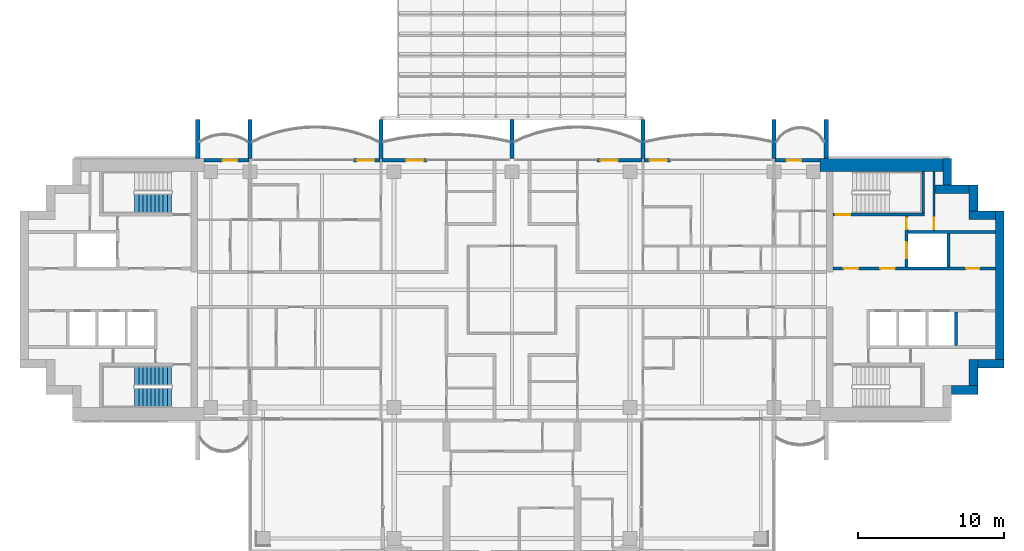
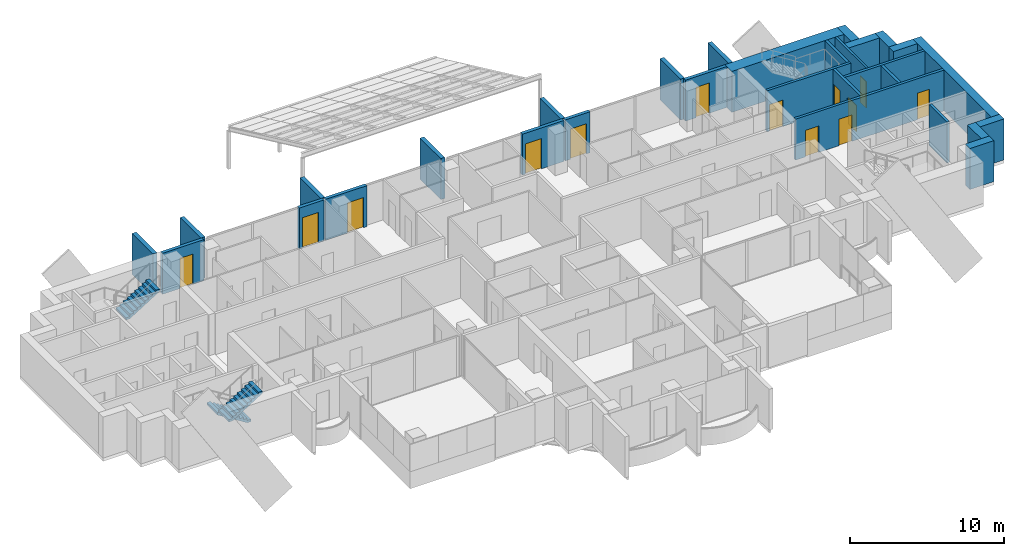
# One storey, part 15 of 20: 30 walls, 13 doors, 3 stair flights, 13 openings, 2 elements without a shape of their own.
"""IFC4 building model written with IfcOpenShell, lengths in metres."""

import ifcopenshell
import ifcopenshell.guid

model = None  # the IFC model being written
_history = None  # IfcOwnerHistory: only IFC2X3 demands one
_inside = {}  # id of a spatial element -> (the spatial element, [elements in it])
_under = {}  # id of a project, library or spatial element -> (it, [spatial elements below it])
_declared = {}  # id of a project -> (the project, [libraries it declares])
_typed = {}  # id of a type object -> (the type object, [elements of that type])
_made_of = {}  # id of a material, layer set ... -> (it, [elements and type objects made of it])


def new_model(schema):
    """Start an empty IFC model of exactly this schema.

    Asked for "IFC4X3", IfcOpenShell would pick the latest addendum, in which some entities
    have other attributes; the version numbers below select the first issue.
    IFC2X3 requires an IfcOwnerHistory on every rooted entity: one is made here for all.
    """
    global model, _history
    if schema == "IFC4X3":
        model = ifcopenshell.file(schema_version=(4, 3, 0, 0))
    else:
        model = ifcopenshell.file(schema=schema)
    _inside.clear()
    _under.clear()
    _declared.clear()
    _typed.clear()
    _made_of.clear()
    _history = None
    if model.schema == "IFC2X3":
        org = make("IfcOrganization", Name="unknown")
        user = make(
            "IfcPersonAndOrganization",
            ThePerson=make("IfcPerson", FamilyName="unknown"),
            TheOrganization=org,
        )
        app = make(
            "IfcApplication",
            ApplicationDeveloper=org,
            Version="unknown",
            ApplicationFullName="unknown",
            ApplicationIdentifier="unknown",
        )
        _history = make(
            "IfcOwnerHistory",
            OwningUser=user,
            OwningApplication=app,
            ChangeAction="ADDED",
            CreationDate=0,
        )
    return model


def make(cls, **values):
    """One entity of the class cls with the attributes given. An attribute that is None is left unset."""
    return model.create_entity(
        cls, **{name: value for name, value in values.items() if value is not None}
    )


def rooted(cls, **values):
    """An entity with a GlobalId (a new one), such as an element, a storey or a relation."""
    return make(cls, GlobalId=ifcopenshell.guid.new(), OwnerHistory=_history, **values)


def si_unit(unit_type, name, prefix=None):
    """IfcSIUnit, for example si_unit("LENGTHUNIT", "METRE", prefix="MILLI")."""
    return make("IfcSIUnit", UnitType=unit_type, Prefix=prefix, Name=name)


def assignment(units):
    """IfcUnitAssignment: the units of a project."""
    return None if units is None else make("IfcUnitAssignment", Units=units)


def point(xyz):
    """IfcCartesianPoint."""
    return None if xyz is None else make("IfcCartesianPoint", Coordinates=xyz)


def direction(xyz):
    """IfcDirection."""
    return None if xyz is None else make("IfcDirection", DirectionRatios=xyz)


def frame(location, z_axis=None, x_axis=None):
    """IfcAxis2Placement3D, a coordinate frame: its origin and axes. An axis left out is left unset."""
    return make(
        "IfcAxis2Placement3D",
        Location=point(location),
        Axis=direction(z_axis),
        RefDirection=direction(x_axis),
    )


def frame_2d(location, x_axis=None):
    """IfcAxis2Placement2D, a coordinate frame in the plane: its origin and x axis."""
    return make(
        "IfcAxis2Placement2D", Location=point(location), RefDirection=direction(x_axis)
    )


def origin():
    """The frame at (0, 0, 0) with its axes left unset."""
    return frame((0.0, 0.0, 0.0))


def place(relative_to, where):
    """IfcLocalPlacement: puts the frame where relative to a parent placement (None: the world)."""
    return make(
        "IfcLocalPlacement", PlacementRelTo=relative_to, RelativePlacement=where
    )


def context(
    kind, dimensions, precision=None, world=None, true_north=None, identifier=None
):
    """IfcGeometricRepresentationContext, for example the 3D "Model" context."""
    return make(
        "IfcGeometricRepresentationContext",
        ContextIdentifier=identifier,
        ContextType=kind,
        CoordinateSpaceDimension=dimensions,
        Precision=precision,
        WorldCoordinateSystem=world,
        TrueNorth=true_north,
    )


def subcontext(parent, identifier, kind, view, scale=None):
    """IfcGeometricRepresentationSubContext, for example "Body" below "Model"."""
    return make(
        "IfcGeometricRepresentationSubContext",
        ContextIdentifier=identifier,
        ContextType=kind,
        ParentContext=parent,
        TargetScale=scale,
        TargetView=view,
    )


def project(units=None, contexts=None):
    """IfcProject with its units and contexts."""
    return rooted(
        "IfcProject",
        Name="project",
        RepresentationContexts=contexts,
        UnitsInContext=assignment(units),
    )


def spatial(cls, under=None, at=None, **own):
    """A site, building, storey or space (cls), placed at a placement, below another one or the project."""
    s = rooted(cls, ObjectPlacement=at, **own)
    if under is not None:
        _under.setdefault(under.id(), (under, []))[1].append(s)
    return s


def polyline(points):
    """IfcPolyline through the points."""
    return make("IfcPolyline", Points=[point(p) for p in points])


def profile(cls, at=None, kind="AREA", **sizes):
    """A parametric profile (cls). Its sizes go by their IFC names, for example OverallWidth=200.0."""
    return make(cls, ProfileType=kind, Position=at, **sizes)


def rectangle(**sizes):
    """IfcRectangleProfileDef."""
    return profile("IfcRectangleProfileDef", **sizes)


def outline(outer, holes=None, kind="AREA"):
    """IfcArbitraryClosedProfileDef: a profile drawn as a closed curve; with holes, ...WithVoids."""
    if holes is None:
        return make("IfcArbitraryClosedProfileDef", ProfileType=kind, OuterCurve=outer)
    return make(
        "IfcArbitraryProfileDefWithVoids",
        ProfileType=kind,
        OuterCurve=outer,
        InnerCurves=holes,
    )


def extrude(swept, where, along, depth):
    """IfcExtrudedAreaSolid: the profile swept, set in the frame where, extruded along a direction by depth."""
    return make(
        "IfcExtrudedAreaSolid",
        SweptArea=swept,
        Position=where,
        ExtrudedDirection=direction(along),
        Depth=depth,
    )


def shape(context_of_items, identifier, shape_type, items):
    """IfcShapeRepresentation: the items that make up one representation, for example the "Body"."""
    return make(
        "IfcShapeRepresentation",
        ContextOfItems=context_of_items,
        RepresentationIdentifier=identifier,
        RepresentationType=shape_type,
        Items=items,
    )


def material(Name=None, Category=None):
    """IfcMaterial."""
    return make("IfcMaterial", Name=Name, Category=Category)


def layer(
    of_material, thickness, ventilated=None, Name=None, Category=None, Priority=None
):
    """IfcMaterialLayer: one layer of a wall or slab, of a material (None: an air gap)."""
    return make(
        "IfcMaterialLayer",
        Material=of_material,
        LayerThickness=thickness,
        IsVentilated=ventilated,
        Name=Name,
        Category=Category,
        Priority=Priority,
    )


def layer_set(layers, Name=None):
    """IfcMaterialLayerSet."""
    return make("IfcMaterialLayerSet", MaterialLayers=layers, LayerSetName=Name)


def made_of(thing, what):
    """Note that an element or type object is made of a material, layer set ...; save() writes the relation."""
    if what is not None:
        _made_of.setdefault(what.id(), (what, []))[1].append(thing)
    return thing


def type_object(cls, material=None, **own):
    """A type object (cls), such as IfcWallType, which elements share."""
    return made_of(rooted(cls, **own), material)


def element(
    cls,
    number,
    at=None,
    inside=None,
    cuts=None,
    type_object=None,
    material=None,
    context=None,
    identifier="Body",
    shape_type=None,
    held_by="IfcProductDefinitionShape",
    body=None,
    shapes=None,
    **own,
):
    """One element of the class cls, such as IfcWall. Its Tag is "e" and its number.

    at: its placement. inside: the storey or other place that contains it. cuts: it is an
    opening in that element (IfcRelVoidsElement). A single representation is given by context,
    identifier, shape_type and body (its items); several are given by shapes. held_by: the class
    of the entity that holds the representations. save() writes the other relations.
    """
    e = rooted(cls, Tag="e%d" % number, ObjectPlacement=at, **own)
    if body is not None:
        shapes = [shape(context, identifier, shape_type, body)]
    if shapes is not None:
        e.Representation = make(held_by, Representations=shapes)
    if inside is not None:
        _inside.setdefault(inside.id(), (inside, []))[1].append(e)
    if cuts is not None:
        rooted(
            "IfcRelVoidsElement", RelatingBuildingElement=cuts, RelatedOpeningElement=e
        )
    if type_object is not None:
        _typed.setdefault(type_object.id(), (type_object, []))[1].append(e)
    return made_of(e, material)


def fill(opening, filler):
    """IfcRelFillsElement: the door or window that sits in an opening."""
    return rooted(
        "IfcRelFillsElement",
        RelatingOpeningElement=opening,
        RelatedBuildingElement=filler,
    )


def aggregate(whole, parts):
    """IfcRelAggregates: a whole, such as a stair, and the parts it consists of."""
    return rooted("IfcRelAggregates", RelatingObject=whole, RelatedObjects=parts)


def save(model, path):
    """Write the relations noted so far, then the file.

    IfcRelAggregates (storeys below a building ...), IfcRelContainedInSpatialStructure (elements
    in a storey), IfcRelDefinesByType, IfcRelAssociatesMaterial and IfcRelDeclares: one each for
    every whole, place, type object, material and project.
    """
    for whole, parts in _under.values():
        aggregate(whole, parts)
    for where, things in _inside.values():
        rooted(
            "IfcRelContainedInSpatialStructure",
            RelatedElements=things,
            RelatingStructure=where,
        )
    for kind, things in _typed.values():
        rooted("IfcRelDefinesByType", RelatedObjects=things, RelatingType=kind)
    for what, things in _made_of.values():
        rooted("IfcRelAssociatesMaterial", RelatedObjects=things, RelatingMaterial=what)
    for by, libraries in _declared.values():
        rooted("IfcRelDeclares", RelatingContext=by, RelatedDefinitions=libraries)
    model.write(path)


model = new_model("IFC4")

# Units and contexts
model_context = context("Model", 3, precision=1e-05, world=origin(), true_north=direction((0.0, 1.0)))
body_context = subcontext(model_context, "Body", "Model", "MODEL_VIEW")
ifc_project = project(units=[si_unit("LENGTHUNIT", "METRE"), si_unit("AREAUNIT", "SQUARE_METRE"), si_unit("VOLUMEUNIT", "CUBIC_METRE"), si_unit("PLANEANGLEUNIT", "RADIAN"), si_unit("MASSUNIT", "GRAM", prefix="KILO")], contexts=[model_context])

# Site, building, storey
site_placement = place(None, origin())
site = spatial("IfcSite", under=ifc_project, at=site_placement, CompositionType="ELEMENT")
building_placement = place(site_placement, origin())
building = spatial("IfcBuilding", under=site, at=building_placement, Name="Perihelion Cross Residences", CompositionType="ELEMENT")
storey_placement = place(building_placement, frame((0.0, 0.0, 170.10009765625)))
storey = spatial("IfcBuildingStorey", under=building, at=storey_placement, Name="L41", CompositionType="ELEMENT", Elevation=170.10009765625)

# Wall, opening, door
ifc_material_1 = material(Name="Concrete C30/37, bronze-clad", Category="concrete")
ifc_layer_1 = layer(ifc_material_1, 0.25)
ifc_layer_set_1 = layer_set([ifc_layer_1], Name="Bronze-clad pier wall 250")
wall_type_1 = type_object("IfcWallType", Name="Bronze-clad pier wall 250", PredefinedType="SOLIDWALL", material=ifc_layer_set_1)
wall_1_placement = place(storey_placement, frame((21.175048828125, 8.875, 0.0), z_axis=(0.0, 0.0, 1.0), x_axis=(-1.0, 0.0, 0.0)))
wall_1 = element("IfcWall", 1, at=wall_1_placement, inside=storey, type_object=wall_type_1, Name="Wall FW1 L41 east side north bay 1 pier", PredefinedType="SOLIDWALL", context=body_context, shape_type="SweptSolid", body=[
    extrude(rectangle(XDim=3.114990234375, YDim=0.25, at=frame_2d((1.5576171875, 0.0))), origin(), (0.0, 0.0, 1.0), 3.25),
])
opening_1_placement = place(wall_1_placement, frame((1.300048828125, 0.0, 0.0)))
opening_1 = element("IfcOpeningElement", 2, at=opening_1_placement, cuts=wall_1, Name="Opening L41.E01", PredefinedType="OPENING", context=body_context, shape_type="SweptSolid", body=[
    extrude(rectangle(XDim=1.0, YDim=2.39990234375, at=frame_2d((0.5, 1.199951171875))), frame((0.0, 0.135009765625, 0.0), z_axis=(0.0, -1.0, 0.0), x_axis=(1.0, 0.0, 0.0)), (0.0, 0.0, 1.0), 0.27001953125),
])
ifc_material_2 = material(Name="Bronze anodised aluminium, glazed", Category="aluminium")
door_type_1 = type_object("IfcDoorType", Name="Balcony door 1000 x 2400", OperationType="NOTDEFINED", PredefinedType="DOOR", material=ifc_material_2)
door_1_placement = place(opening_1_placement, origin())
door_1 = element("IfcDoor", 3, at=door_1_placement, inside=storey, type_object=door_type_1, Name="Door L41.E01 east side north bay 1", OperationType="SINGLE_SWING_LEFT", OverallHeight=2.39990234375, OverallWidth=1.0, PredefinedType="DOOR", context=body_context, shape_type="SweptSolid", body=[
    extrude(rectangle(XDim=1.0, YDim=2.39990234375, at=frame_2d((0.5, 1.199951171875))), frame((0.0, 0.02490234375, 0.0), z_axis=(0.0, -1.0, 0.0), x_axis=(1.0, 0.0, 0.0)), (0.0, 0.0, 1.0), 0.050048828125),
])
fill(opening_1, door_1)

wall_2_placement = place(storey_placement, frame((10.89990234375, 8.875, 0.0), z_axis=(0.0, 0.0, 1.0), x_axis=(-1.0, 0.0, 0.0)))
wall_2 = element("IfcWall", 4, at=wall_2_placement, inside=storey, type_object=wall_type_1, Name="Wall FW1 L41 east side north bay 2 pier", PredefinedType="SOLIDWALL", context=body_context, shape_type="SweptSolid", body=[
    extrude(rectangle(XDim=1.83984375, YDim=0.25, at=frame_2d((0.919921875, 0.0))), origin(), (0.0, 0.0, 1.0), 3.25),
])
opening_2_placement = place(wall_2_placement, frame((0.25, 0.0, 0.0)))
opening_2 = element("IfcOpeningElement", 5, at=opening_2_placement, cuts=wall_2, Name="Opening L41.E02", PredefinedType="OPENING", context=body_context, shape_type="SweptSolid", body=[
    extrude(rectangle(XDim=1.199951171875, YDim=2.39990234375, at=frame_2d((0.60009765625, 1.199951171875))), frame((0.0, 0.135009765625, 0.0), z_axis=(0.0, -1.0, 0.0), x_axis=(1.0, 0.0, 0.0)), (0.0, 0.0, 1.0), 0.27001953125),
])
ifc_material_3 = material(Name="Bronze anodised aluminium, glazed", Category="aluminium")
door_type_2 = type_object("IfcDoorType", Name="Balcony door 1200 x 2400", OperationType="NOTDEFINED", PredefinedType="DOOR", material=ifc_material_3)
door_2_placement = place(opening_2_placement, origin())
door_2 = element("IfcDoor", 6, at=door_2_placement, inside=storey, type_object=door_type_2, Name="Door L41.E02 east side north bay 2", OperationType="SINGLE_SWING_RIGHT", OverallHeight=2.39990234375, OverallWidth=1.199951171875, PredefinedType="DOOR", context=body_context, shape_type="SweptSolid", body=[
    extrude(rectangle(XDim=1.199951171875, YDim=2.39990234375, at=frame_2d((0.60009765625, 1.199951171875))), frame((0.0, 0.02490234375, 0.0), z_axis=(0.0, -1.0, 0.0), x_axis=(1.0, 0.0, 0.0)), (0.0, 0.0, 1.0), 0.050048828125),
])
fill(opening_2, door_2)

wall_3_placement = place(storey_placement, frame((8.93994140625, 8.875, 0.0), z_axis=(0.0, 0.0, 1.0), x_axis=(-1.0, 0.0, 0.0)))
wall_3 = element("IfcWall", 7, at=wall_3_placement, inside=storey, type_object=wall_type_1, Name="Wall FW1 L41 north side east bay 1 pier", PredefinedType="SOLIDWALL", context=body_context, shape_type="SweptSolid", body=[
    extrude(rectangle(XDim=3.114990234375, YDim=0.25, at=frame_2d((1.5576171875, 0.0))), origin(), (0.0, 0.0, 1.0), 3.25),
])
opening_3_placement = place(wall_3_placement, frame((1.6650390625, 0.0, 0.0)))
opening_3 = element("IfcOpeningElement", 8, at=opening_3_placement, cuts=wall_3, Name="Opening L41.E03", PredefinedType="OPENING", context=body_context, shape_type="SweptSolid", body=[
    extrude(rectangle(XDim=1.199951171875, YDim=2.39990234375, at=frame_2d((0.60009765625, 1.199951171875))), frame((0.0, 0.135009765625, 0.0), z_axis=(0.0, -1.0, 0.0), x_axis=(1.0, 0.0, 0.0)), (0.0, 0.0, 1.0), 0.27001953125),
])
door_3_placement = place(opening_3_placement, origin())
door_3 = element("IfcDoor", 9, at=door_3_placement, inside=storey, type_object=door_type_2, Name="Door L41.E03 north side east bay 1", OperationType="SINGLE_SWING_LEFT", OverallHeight=2.39990234375, OverallWidth=1.199951171875, PredefinedType="DOOR", context=body_context, shape_type="SweptSolid", body=[
    extrude(rectangle(XDim=1.199951171875, YDim=2.39990234375, at=frame_2d((0.60009765625, 1.199951171875))), frame((0.0, 0.02490234375, 0.0), z_axis=(0.0, -1.0, 0.0), x_axis=(1.0, 0.0, 0.0)), (0.0, 0.0, 1.0), 0.050048828125),
])
fill(opening_3, door_3)

wall_4_placement = place(storey_placement, frame((-5.824951171875, 8.875, 0.0), z_axis=(0.0, 0.0, 1.0), x_axis=(-1.0, 0.0, 0.0)))
wall_4 = element("IfcWall", 10, at=wall_4_placement, inside=storey, type_object=wall_type_1, Name="Wall FW1 L41 north side east bay 2 pier", PredefinedType="SOLIDWALL", context=body_context, shape_type="SweptSolid", body=[
    extrude(rectangle(XDim=3.114990234375, YDim=0.25, at=frame_2d((1.5576171875, 0.0))), origin(), (0.0, 0.0, 1.0), 3.25),
])
opening_4_placement = place(wall_4_placement, frame((0.25, 0.0, 0.0)))
opening_4 = element("IfcOpeningElement", 11, at=opening_4_placement, cuts=wall_4, Name="Opening L41.E04", PredefinedType="OPENING", context=body_context, shape_type="SweptSolid", body=[
    extrude(rectangle(XDim=1.199951171875, YDim=2.39990234375, at=frame_2d((0.60009765625, 1.199951171875))), frame((0.0, 0.135009765625, 0.0), z_axis=(0.0, -1.0, 0.0), x_axis=(1.0, 0.0, 0.0)), (0.0, 0.0, 1.0), 0.27001953125),
])
door_4_placement = place(opening_4_placement, origin())
door_4 = element("IfcDoor", 12, at=door_4_placement, inside=storey, type_object=door_type_2, Name="Door L41.E04 north side east bay 2", OperationType="SINGLE_SWING_RIGHT", OverallHeight=2.39990234375, OverallWidth=1.199951171875, PredefinedType="DOOR", context=body_context, shape_type="SweptSolid", body=[
    extrude(rectangle(XDim=1.199951171875, YDim=2.39990234375, at=frame_2d((0.60009765625, 1.199951171875))), frame((0.0, 0.02490234375, 0.0), z_axis=(0.0, -1.0, 0.0), x_axis=(1.0, 0.0, 0.0)), (0.0, 0.0, 1.0), 0.050048828125),
])
fill(opening_4, door_4)

wall_5_placement = place(storey_placement, frame((-9.06005859375, 8.875, 0.0), z_axis=(0.0, 0.0, 1.0), x_axis=(-1.0, 0.0, 0.0)))
wall_5 = element("IfcWall", 13, at=wall_5_placement, inside=storey, type_object=wall_type_1, Name="Wall FW1 L41 west side north bay 1 pier", PredefinedType="SOLIDWALL", context=body_context, shape_type="SweptSolid", body=[
    extrude(rectangle(XDim=1.83984375, YDim=0.25, at=frame_2d((0.919921875, 0.0))), origin(), (0.0, 0.0, 1.0), 3.25),
])
opening_5_placement = place(wall_5_placement, frame((0.389892578125, 0.0, 0.0)))
opening_5 = element("IfcOpeningElement", 14, at=opening_5_placement, cuts=wall_5, Name="Opening L41.E05", PredefinedType="OPENING", context=body_context, shape_type="SweptSolid", body=[
    extrude(rectangle(XDim=1.199951171875, YDim=2.39990234375, at=frame_2d((0.60009765625, 1.199951171875))), frame((0.0, 0.135009765625, 0.0), z_axis=(0.0, -1.0, 0.0), x_axis=(1.0, 0.0, 0.0)), (0.0, 0.0, 1.0), 0.27001953125),
])
door_5_placement = place(opening_5_placement, origin())
door_5 = element("IfcDoor", 15, at=door_5_placement, inside=storey, type_object=door_type_2, Name="Door L41.E05 west side north bay 1", OperationType="SINGLE_SWING_LEFT", OverallHeight=2.39990234375, OverallWidth=1.199951171875, PredefinedType="DOOR", context=body_context, shape_type="SweptSolid", body=[
    extrude(rectangle(XDim=1.199951171875, YDim=2.39990234375, at=frame_2d((0.60009765625, 1.199951171875))), frame((0.0, 0.02490234375, 0.0), z_axis=(0.0, -1.0, 0.0), x_axis=(1.0, 0.0, 0.0)), (0.0, 0.0, 1.0), 0.050048828125),
])
fill(opening_5, door_5)

wall_6_placement = place(storey_placement, frame((-18.06005859375, 8.875, 0.0), z_axis=(0.0, 0.0, 1.0), x_axis=(-1.0, 0.0, 0.0)))
wall_6 = element("IfcWall", 16, at=wall_6_placement, inside=storey, type_object=wall_type_1, Name="Wall FW1 L41 west side north bay 2 pier", PredefinedType="SOLIDWALL", context=body_context, shape_type="SweptSolid", body=[
    extrude(rectangle(XDim=3.114990234375, YDim=0.25, at=frame_2d((1.5576171875, 0.0))), origin(), (0.0, 0.0, 1.0), 3.25),
])
opening_6_placement = place(wall_6_placement, frame((0.81494140625, 0.0, 0.0)))
opening_6 = element("IfcOpeningElement", 17, at=opening_6_placement, cuts=wall_6, Name="Opening L41.E06", PredefinedType="OPENING", context=body_context, shape_type="SweptSolid", body=[
    extrude(rectangle(XDim=1.0, YDim=2.39990234375, at=frame_2d((0.5, 1.199951171875))), frame((0.0, 0.135009765625, 0.0), z_axis=(0.0, -1.0, 0.0), x_axis=(1.0, 0.0, 0.0)), (0.0, 0.0, 1.0), 0.27001953125),
])
door_6_placement = place(opening_6_placement, origin())
door_6 = element("IfcDoor", 18, at=door_6_placement, inside=storey, type_object=door_type_1, Name="Door L41.E06 west side north bay 2", OperationType="SINGLE_SWING_RIGHT", OverallHeight=2.39990234375, OverallWidth=1.0, PredefinedType="DOOR", context=body_context, shape_type="SweptSolid", body=[
    extrude(rectangle(XDim=1.0, YDim=2.39990234375, at=frame_2d((0.5, 1.199951171875))), frame((0.0, 0.02490234375, 0.0), z_axis=(0.0, -1.0, 0.0), x_axis=(1.0, 0.0, 0.0)), (0.0, 0.0, 1.0), 0.050048828125),
])
fill(opening_6, door_6)

# Walls
ifc_material_4 = material(Name="Concrete C60/75", Category="concrete")
ifc_layer_2 = layer(ifc_material_4, 0.60009765625)
ifc_layer_set_2 = layer_set([ifc_layer_2], Name="Core wall, outer 600")
wall_type_2 = type_object("IfcWallType", Name="Core wall, outer 600", PredefinedType="SHEAR", material=ifc_layer_set_2)
for number, where, z_axis, x_axis, name in (
    (19, (30.199951171875, -6.89990234375, 0.0), (0.0, 0.0, 1.0), (1.0, 0.0, 0.0), "East core core wall, outer"),
    (20, (31.699951171875, -6.60009765625, 0.0), (0.0, 0.0, 1.0), (0.0, 1.0, 0.0), "East core core wall, outer"),
    (21, (32.0, -5.10009765625, 0.0), (0.0, 0.0, 1.0), (1.0, 0.0, 0.0), "East core core wall, outer"),
):
    element("IfcWall", number, at=place(storey_placement, frame(where, z_axis=z_axis, x_axis=x_axis)), inside=storey, type_object=wall_type_2, Name=name, PredefinedType="SHEAR", context=body_context, shape_type="SweptSolid", body=[
        extrude(rectangle(XDim=1.800048828125, YDim=0.60009765625, at=frame_2d((0.89990234375, 0.0))), origin(), (0.0, 0.0, 1.0), 3.25),
    ])
wall_7_placement = place(storey_placement, frame((33.5, -4.800048828125, 0.0), z_axis=(0.0, 0.0, 1.0), x_axis=(0.0, 1.0, 0.0)))
element("IfcWall", 22, at=wall_7_placement, inside=storey, type_object=wall_type_2, Name="East core core wall, outer", PredefinedType="SHEAR", context=body_context, shape_type="SweptSolid", body=[
    extrude(rectangle(XDim=10.199951171875, YDim=0.60009765625, at=frame_2d((5.10009765625, 0.0))), origin(), (0.0, 0.0, 1.0), 3.25),
])
for number, where, z_axis, x_axis, name in (
    (23, (31.39990234375, 5.10009765625, 0.0), (0.0, 0.0, 1.0), (1.0, 0.0, 0.0), "East core core wall, outer"),
    (24, (31.699951171875, 5.39990234375, 0.0), (0.0, 0.0, 1.0), (0.0, 1.0, 0.0), "East core core wall, outer"),
):
    element("IfcWall", number, at=place(storey_placement, frame(where, z_axis=z_axis, x_axis=x_axis)), inside=storey, type_object=wall_type_2, Name=name, PredefinedType="SHEAR", context=body_context, shape_type="SweptSolid", body=[
        extrude(rectangle(XDim=1.800048828125, YDim=0.60009765625, at=frame_2d((0.89990234375, 0.0))), origin(), (0.0, 0.0, 1.0), 3.25),
    ])
wall_8_placement = place(storey_placement, frame((29.074951171875, 6.89990234375, 0.0), z_axis=(0.0, 0.0, 1.0), x_axis=(1.0, 0.0, 0.0)))
element("IfcWall", 25, at=wall_8_placement, inside=storey, type_object=wall_type_2, Name="East core core wall, outer", PredefinedType="SHEAR", context=body_context, shape_type="SweptSolid", body=[
    extrude(rectangle(XDim=2.324951171875, YDim=0.60009765625, at=frame_2d((1.16259765625, 0.0))), origin(), (0.0, 0.0, 1.0), 3.25),
])
wall_9_placement = place(storey_placement, frame((29.89990234375, 7.199951171875, 0.0), z_axis=(0.0, 0.0, 1.0), x_axis=(0.0, 1.0, 0.0)))
element("IfcWall", 26, at=wall_9_placement, inside=storey, type_object=wall_type_2, Name="East core core wall, outer", PredefinedType="SHEAR", context=body_context, shape_type="SweptSolid", body=[
    extrude(rectangle(XDim=1.800048828125, YDim=0.60009765625, at=frame_2d((0.89990234375, 0.0))), origin(), (0.0, 0.0, 1.0), 3.25),
])
ifc_material_5 = material(Name="Concrete C60/75", Category="concrete")
ifc_layer_3 = layer(ifc_material_5, 0.89990234375)
ifc_layer_set_3 = layer_set([ifc_layer_3], Name="Core wall, outer 900")
wall_type_3 = type_object("IfcWallType", Name="Core wall, outer 900", PredefinedType="SHEAR", material=ifc_layer_set_3)
wall_10_placement = place(storey_placement, frame((21.175048828125, 8.550048828125, 0.0), z_axis=(0.0, 0.0, 1.0), x_axis=(1.0, 0.0, 0.0)))
element("IfcWall", 27, at=wall_10_placement, inside=storey, type_object=wall_type_3, Name="East core core wall, outer", PredefinedType="SHEAR", context=body_context, shape_type="SweptSolid", body=[
    extrude(rectangle(XDim=8.425048828125, YDim=0.89990234375, at=frame_2d((4.21240234375, 0.0))), origin(), (0.0, 0.0, 1.0), 3.25),
])
ifc_material_6 = material(Name="Precast concrete C50/60", Category="concrete")
ifc_layer_4 = layer(ifc_material_6, 0.300048828125)
ifc_layer_set_4 = layer_set([ifc_layer_4], Name="Precast concrete C50/60 blade wall 300")
wall_type_4 = type_object("IfcWallType", Name="Precast concrete C50/60 blade wall 300", PredefinedType="SOLIDWALL", material=ifc_layer_set_4)
for number, where, z_axis, x_axis, name in (
    (28, (-21.60009765625, 9.0, 0.0), (0.0, 0.0, 1.0), (0.0, 1.0, 0.0), "Wall BL1 L41 no. 4"),
    (29, (-18.0, 9.0, 0.0), (0.0, 0.0, 1.0), (0.0, 1.0, 0.0), "Wall BL1 L41 no. 2"),
    (30, (-9.0, 9.0, 0.0), (0.0, 0.0, 1.0), (0.0, 1.0, 0.0), "Wall BL1 L41 no. 7"),
    (31, (0.0, 9.0, 0.0), (0.0, 0.0, 1.0), (0.0, 1.0, 0.0), "Wall BL1 L41 no. 9"),
    (32, (9.0, 9.0, 0.0), (0.0, 0.0, 1.0), (0.0, 1.0, 0.0), "Wall BL1 L41 no. 16"),
    (33, (18.0, 9.0, 0.0), (0.0, 0.0, 1.0), (0.0, 1.0, 0.0), "Wall BL1 L41 no. 11"),
    (34, (21.60009765625, 9.0, 0.0), (0.0, 0.0, 1.0), (0.0, 1.0, 0.0), "Wall BL1 L41 no. 13"),
):
    element("IfcWall", number, at=place(storey_placement, frame(where, z_axis=z_axis, x_axis=x_axis)), inside=storey, type_object=wall_type_4, Name=name, PredefinedType="SOLIDWALL", context=body_context, shape_type="SweptSolid", body=[
        extrude(rectangle(XDim=2.699951171875, YDim=0.300048828125, at=frame_2d((1.35009765625, 0.0))), origin(), (0.0, 0.0, 1.0), 3.25),
    ])

# Wall, opening, door
ifc_material_7 = material(Name="Fire-rated board on steel stud", Category="steel")
ifc_layer_5 = layer(ifc_material_7, 0.14990234375)
ifc_layer_set_5 = layer_set([ifc_layer_5], Name="Riser wall 150")
wall_type_5 = type_object("IfcWallType", Name="Riser wall 150", PredefinedType="PARTITIONING", material=ifc_layer_set_5)
wall_11_placement = place(storey_placement, frame((29.0, 4.050048828125, 0.0), z_axis=(0.0, 0.0, 1.0), x_axis=(0.0, 1.0, 0.0)))
wall_11 = element("IfcWall", 35, at=wall_11_placement, inside=storey, type_object=wall_type_5, Name="East core riser wall", PredefinedType="PARTITIONING", context=body_context, shape_type="SweptSolid", body=[
    extrude(rectangle(XDim=4.050048828125, YDim=0.14990234375, at=frame_2d((2.02490234375, 0.0))), origin(), (0.0, 0.0, 1.0), 3.25),
])
opening_7_placement = place(wall_11_placement, frame((0.10009765625, 0.0, 0.0)))
opening_7 = element("IfcOpeningElement", 36, at=opening_7_placement, cuts=wall_11, Name="Opening L41.C12", PredefinedType="OPENING", context=body_context, shape_type="SweptSolid", body=[
    extrude(rectangle(XDim=0.800048828125, YDim=2.10009765625, at=frame_2d((0.39990234375, 1.050048828125))), frame((0.0, 0.0849609375, 0.0), z_axis=(0.0, -1.0, 0.0), x_axis=(1.0, 0.0, 0.0)), (0.0, 0.0, 1.0), 0.169921875),
])
ifc_material_8 = material(Name="Steel, powder coated", Category="steel")
door_type_3 = type_object("IfcDoorType", Name="Riser door 800", OperationType="SINGLE_SWING_LEFT", PredefinedType="DOOR", material=ifc_material_8)
door_7_placement = place(opening_7_placement, origin())
door_7 = element("IfcDoor", 37, at=door_7_placement, inside=storey, type_object=door_type_3, Name="East core riser door", OperationType="SINGLE_SWING_LEFT", OverallHeight=2.10009765625, OverallWidth=0.800048828125, PredefinedType="DOOR", context=body_context, shape_type="SweptSolid", body=[
    extrude(rectangle(XDim=0.800048828125, YDim=2.10009765625, at=frame_2d((0.39990234375, 1.050048828125))), frame((0.0, 0.02490234375, 0.0), z_axis=(0.0, -1.0, 0.0), x_axis=(1.0, 0.0, 0.0)), (0.0, 0.0, 1.0), 0.050048828125),
])
fill(opening_7, door_7)

# Wall, openings, doors
ifc_material_9 = material(Name="Concrete C50/60", Category="concrete")
ifc_layer_6 = layer(ifc_material_9, 0.199951171875)
ifc_layer_set_6 = layer_set([ifc_layer_6], Name="Shaft wall 200")
wall_type_6 = type_object("IfcWallType", Name="Shaft wall 200", PredefinedType="SOLIDWALL", material=ifc_layer_set_6)
wall_12_placement = place(storey_placement, frame((22.050048828125, 1.449951171875, 0.0), z_axis=(0.0, 0.0, 1.0), x_axis=(1.0, 0.0, 0.0)))
wall_12 = element("IfcWall", 38, at=wall_12_placement, inside=storey, type_object=wall_type_6, Name="East core shaft wall", PredefinedType="SOLIDWALL", context=body_context, shape_type="SweptSolid", body=[
    extrude(rectangle(XDim=11.14990234375, YDim=0.199951171875, at=frame_2d((5.574951171875, 0.0))), origin(), (0.0, 0.0, 1.0), 3.25),
])
opening_8_placement = place(wall_12_placement, frame((0.75, 0.0, 0.0)))
opening_8 = element("IfcOpeningElement", 39, at=opening_8_placement, cuts=wall_12, Name="Opening L41.C07", PredefinedType="OPENING", context=body_context, shape_type="SweptSolid", body=[
    extrude(rectangle(XDim=1.0, YDim=2.10009765625, at=frame_2d((0.5, 1.050048828125))), frame((0.0, 0.10986328125, 0.0), z_axis=(0.0, -1.0, 0.0), x_axis=(1.0, 0.0, 0.0)), (0.0, 0.0, 1.0), 0.219970703125),
])
opening_9_placement = place(wall_12_placement, frame((3.25, 0.0, 0.0)))
opening_9 = element("IfcOpeningElement", 40, at=opening_9_placement, cuts=wall_12, Name="Opening L41.C09", PredefinedType="OPENING", context=body_context, shape_type="SweptSolid", body=[
    extrude(rectangle(XDim=1.0, YDim=2.10009765625, at=frame_2d((0.5, 1.050048828125))), frame((0.0, 0.10986328125, 0.0), z_axis=(0.0, -1.0, 0.0), x_axis=(1.0, 0.0, 0.0)), (0.0, 0.0, 1.0), 0.219970703125),
])
opening_10_placement = place(wall_12_placement, frame((9.14990234375, 0.0, 0.0)))
opening_10 = element("IfcOpeningElement", 41, at=opening_10_placement, cuts=wall_12, Name="Opening L41.C13", PredefinedType="OPENING", context=body_context, shape_type="SweptSolid", body=[
    extrude(rectangle(XDim=0.89990234375, YDim=2.10009765625, at=frame_2d((0.449951171875, 1.050048828125))), frame((0.0, 0.10986328125, 0.0), z_axis=(0.0, -1.0, 0.0), x_axis=(1.0, 0.0, 0.0)), (0.0, 0.0, 1.0), 0.219970703125),
])
ifc_material_10 = material(Name="Steel, powder coated", Category="steel")
door_type_4 = type_object("IfcDoorType", Name="Lobby door 1000", OperationType="SINGLE_SWING_LEFT", PredefinedType="DOOR", material=ifc_material_10)
door_8_placement = place(opening_8_placement, origin())
door_8 = element("IfcDoor", 42, at=door_8_placement, inside=storey, type_object=door_type_4, Name="East core firefighting lobby door", OperationType="SINGLE_SWING_LEFT", OverallHeight=2.10009765625, OverallWidth=1.0, PredefinedType="DOOR", context=body_context, shape_type="SweptSolid", body=[
    extrude(rectangle(XDim=1.0, YDim=2.10009765625, at=frame_2d((0.5, 1.050048828125))), frame((0.0, 0.02490234375, 0.0), z_axis=(0.0, -1.0, 0.0), x_axis=(1.0, 0.0, 0.0)), (0.0, 0.0, 1.0), 0.050048828125),
])
fill(opening_8, door_8)
door_9_placement = place(opening_9_placement, origin())
door_9 = element("IfcDoor", 43, at=door_9_placement, inside=storey, type_object=door_type_4, Name="East core firefighting lobby door", OperationType="SINGLE_SWING_LEFT", OverallHeight=2.10009765625, OverallWidth=1.0, PredefinedType="DOOR", context=body_context, shape_type="SweptSolid", body=[
    extrude(rectangle(XDim=1.0, YDim=2.10009765625, at=frame_2d((0.5, 1.050048828125))), frame((0.0, 0.02490234375, 0.0), z_axis=(0.0, -1.0, 0.0), x_axis=(1.0, 0.0, 0.0)), (0.0, 0.0, 1.0), 0.050048828125),
])
fill(opening_9, door_9)
ifc_material_11 = material(Name="Steel, powder coated", Category="steel")
door_type_5 = type_object("IfcDoorType", Name="Service room door 900", OperationType="SINGLE_SWING_LEFT", PredefinedType="DOOR", material=ifc_material_11)
door_10_placement = place(opening_10_placement, origin())
door_10 = element("IfcDoor", 44, at=door_10_placement, inside=storey, type_object=door_type_5, Name="East core service room door", OperationType="SINGLE_SWING_LEFT", OverallHeight=2.10009765625, OverallWidth=0.89990234375, PredefinedType="DOOR", context=body_context, shape_type="SweptSolid", body=[
    extrude(rectangle(XDim=0.89990234375, YDim=2.10009765625, at=frame_2d((0.449951171875, 1.050048828125))), frame((0.0, 0.02490234375, 0.0), z_axis=(0.0, -1.0, 0.0), x_axis=(1.0, 0.0, 0.0)), (0.0, 0.0, 1.0), 0.050048828125),
])
fill(opening_10, door_10)

# Wall
wall_13_placement = place(storey_placement, frame((27.199951171875, 3.949951171875, 0.0), z_axis=(0.0, 0.0, 1.0), x_axis=(1.0, 0.0, 0.0)))
element("IfcWall", 45, at=wall_13_placement, inside=storey, type_object=wall_type_6, Name="East core shaft wall", PredefinedType="SOLIDWALL", context=body_context, shape_type="SweptSolid", body=[
    extrude(rectangle(XDim=6.0, YDim=0.199951171875, at=frame_2d((3.0, 0.0))), origin(), (0.0, 0.0, 1.0), 3.25),
])

# Wall, openings, doors
wall_14_placement = place(storey_placement, frame((27.10009765625, 1.550048828125, 0.0), z_axis=(0.0, 0.0, 1.0), x_axis=(0.0, 1.0, 0.0)))
wall_14 = element("IfcWall", 46, at=wall_14_placement, inside=storey, type_object=wall_type_6, Name="East core shaft wall", PredefinedType="SOLIDWALL", context=body_context, shape_type="SweptSolid", body=[
    extrude(rectangle(XDim=3.5, YDim=0.199951171875, at=frame_2d((1.75, 0.0))), origin(), (0.0, 0.0, 1.0), 3.25),
])
opening_11_placement = place(wall_14_placement, frame((0.60009765625, 0.0, 0.0)))
opening_11 = element("IfcOpeningElement", 47, at=opening_11_placement, cuts=wall_14, Name="Opening L41.C02", PredefinedType="OPENING", context=body_context, shape_type="SweptSolid", body=[
    extrude(rectangle(XDim=1.10009765625, YDim=2.10009765625, at=frame_2d((0.550048828125, 1.050048828125))), frame((0.0, 0.10986328125, 0.0), z_axis=(0.0, -1.0, 0.0), x_axis=(1.0, 0.0, 0.0)), (0.0, 0.0, 1.0), 0.219970703125),
])
opening_12_placement = place(wall_14_placement, frame((2.60009765625, 0.0, 0.0)))
opening_12 = element("IfcOpeningElement", 48, at=opening_12_placement, cuts=wall_14, Name="Opening L41.C10", PredefinedType="OPENING", context=body_context, shape_type="SweptSolid", body=[
    extrude(rectangle(XDim=0.800048828125, YDim=2.10009765625, at=frame_2d((0.39990234375, 1.050048828125))), frame((0.0, 0.10986328125, 0.0), z_axis=(0.0, -1.0, 0.0), x_axis=(1.0, 0.0, 0.0)), (0.0, 0.0, 1.0), 0.219970703125),
])
ifc_material_12 = material(Name="Stainless steel", Category="steel")
door_type_6 = type_object("IfcDoorType", Name="Landing door, firefighting lift 1100", OperationType="DOUBLE_DOOR_SLIDING", PredefinedType="DOOR", material=ifc_material_12)
door_11_placement = place(opening_11_placement, origin())
door_11 = element("IfcDoor", 49, at=door_11_placement, inside=storey, type_object=door_type_6, Name="Landing door, East core firefighting and service lift", OperationType="DOUBLE_DOOR_SLIDING", OverallHeight=2.10009765625, OverallWidth=1.10009765625, PredefinedType="DOOR", context=body_context, shape_type="SweptSolid", body=[
    extrude(rectangle(XDim=1.10009765625, YDim=2.10009765625, at=frame_2d((0.550048828125, 1.050048828125))), frame((0.0, 0.02490234375, 0.0), z_axis=(0.0, -1.0, 0.0), x_axis=(1.0, 0.0, 0.0)), (0.0, 0.0, 1.0), 0.050048828125),
])
fill(opening_11, door_11)
door_12_placement = place(opening_12_placement, origin())
door_12 = element("IfcDoor", 50, at=door_12_placement, inside=storey, type_object=door_type_3, Name="East core riser door", OperationType="SINGLE_SWING_LEFT", OverallHeight=2.10009765625, OverallWidth=0.800048828125, PredefinedType="DOOR", context=body_context, shape_type="SweptSolid", body=[
    extrude(rectangle(XDim=0.800048828125, YDim=2.10009765625, at=frame_2d((0.39990234375, 1.050048828125))), frame((0.0, 0.02490234375, 0.0), z_axis=(0.0, -1.0, 0.0), x_axis=(1.0, 0.0, 0.0)), (0.0, 0.0, 1.0), 0.050048828125),
])
fill(opening_12, door_12)

# Walls
for number, where, z_axis, x_axis, name in (
    (51, (30.0, 1.550048828125, 0.0), (0.0, 0.0, 1.0), (0.0, 1.0, 0.0), "East core shaft wall"),
    (52, (30.5, -3.85009765625, 0.0), (0.0, 0.0, 1.0), (0.0, 1.0, 0.0), "East core shaft wall"),
):
    element("IfcWall", number, at=place(storey_placement, frame(where, z_axis=z_axis, x_axis=x_axis)), inside=storey, type_object=wall_type_6, Name=name, PredefinedType="SOLIDWALL", context=body_context, shape_type="SweptSolid", body=[
        extrude(rectangle(XDim=2.300048828125, YDim=0.199951171875, at=frame_2d((1.14990234375, 0.0))), origin(), (0.0, 0.0, 1.0), 3.25),
    ])

# Wall, opening, door
ifc_material_13 = material(Name="Concrete C50/60", Category="concrete")
ifc_layer_7 = layer(ifc_material_13, 0.199951171875)
ifc_layer_set_7 = layer_set([ifc_layer_7], Name="Stair wall 200")
wall_type_7 = type_object("IfcWallType", Name="Stair wall 200", PredefinedType="SOLIDWALL", material=ifc_layer_set_7)
wall_15_placement = place(storey_placement, frame((22.050048828125, 5.14990234375, 0.0), z_axis=(0.0, 0.0, 1.0), x_axis=(1.0, 0.0, 0.0)))
wall_15 = element("IfcWall", 53, at=wall_15_placement, inside=storey, type_object=wall_type_7, Name="East core stair wall", PredefinedType="SOLIDWALL", context=body_context, shape_type="SweptSolid", body=[
    extrude(rectangle(XDim=6.300048828125, YDim=0.199951171875, at=frame_2d((3.14990234375, 0.0))), origin(), (0.0, 0.0, 1.0), 3.25),
])
opening_13_placement = place(wall_15_placement, frame((0.199951171875, 0.0, 0.0)))
opening_13 = element("IfcOpeningElement", 54, at=opening_13_placement, cuts=wall_15, Name="Opening L41.C06", PredefinedType="OPENING", context=body_context, shape_type="SweptSolid", body=[
    extrude(rectangle(XDim=1.0, YDim=2.10009765625, at=frame_2d((0.5, 1.050048828125))), frame((0.0, 0.10986328125, 0.0), z_axis=(0.0, -1.0, 0.0), x_axis=(1.0, 0.0, 0.0)), (0.0, 0.0, 1.0), 0.219970703125),
])
ifc_material_14 = material(Name="Steel, powder coated", Category="steel")
door_type_7 = type_object("IfcDoorType", Name="Stair door 1000", OperationType="SINGLE_SWING_LEFT", PredefinedType="DOOR", material=ifc_material_14)
door_13_placement = place(opening_13_placement, origin())
door_13 = element("IfcDoor", 55, at=door_13_placement, inside=storey, type_object=door_type_7, Name="East core stair door", OperationType="SINGLE_SWING_LEFT", OverallHeight=2.10009765625, OverallWidth=1.0, PredefinedType="DOOR", context=body_context, shape_type="SweptSolid", body=[
    extrude(rectangle(XDim=1.0, YDim=2.10009765625, at=frame_2d((0.5, 1.050048828125))), frame((0.0, 0.02490234375, 0.0), z_axis=(0.0, -1.0, 0.0), x_axis=(1.0, 0.0, 0.0)), (0.0, 0.0, 1.0), 0.050048828125),
])
fill(opening_13, door_13)

# Wall
wall_16_placement = place(storey_placement, frame((28.25, 5.25, 0.0), z_axis=(0.0, 0.0, 1.0), x_axis=(0.0, 1.0, 0.0)))
element("IfcWall", 56, at=wall_16_placement, inside=storey, type_object=wall_type_7, Name="East core stair wall", PredefinedType="SOLIDWALL", context=body_context, shape_type="SweptSolid", body=[
    extrude(rectangle(XDim=2.85009765625, YDim=0.199951171875, at=frame_2d((1.425048828125, 0.0))), origin(), (0.0, 0.0, 1.0), 3.25),
])

# Stair, stair flight
ifc_material_15 = material(Name="Concrete C40/50", Category="concrete")
stair_type = type_object("IfcStairType", Name="Exit stair, half-turn", PredefinedType="HALF_TURN_STAIR", material=ifc_material_15)
stair_1_placement = place(storey_placement, origin())
stair_1 = element("IfcStair", 57, at=stair_1_placement, inside=storey, type_object=stair_type, Name="L41 West core exit stair 1", PredefinedType="HALF_TURN_STAIR")
ifc_material_16 = material(Name="Concrete C40/50", Category="concrete")
stair_flight_type = type_object("IfcStairFlightType", Name="Exit stair flight", PredefinedType="STRAIGHT", material=ifc_material_16)
stair_flight_1_placement = place(storey_placement, frame((-25.919921875, 5.925048828125, 1.75), z_axis=(0.0, 0.0, 1.0), x_axis=(1.0, 0.0, 0.0)))
stair_flight_1 = element("IfcStairFlight", 58, at=stair_flight_1_placement, type_object=stair_flight_type, Name="ST-W1 flight 2", NumberOfRisers=10, NumberOfTreads=9, PredefinedType="STRAIGHT", RiserHeight=0.175, TreadLength=0.28, context=body_context, shape_type="SweptSolid", body=[
    extrude(outline(polyline([(0.0, 0.0), (0.0, 0.175048828125), (0.280029296875, 0.175048828125), (0.280029296875, 0.35009765625), (0.56005859375, 0.35009765625), (0.56005859375, 0.52490234375), (0.840087890625, 0.52490234375), (0.840087890625, 0.699951171875), (1.1201171875, 0.699951171875), (1.1201171875, 0.875), (1.39990234375, 0.875), (1.39990234375, 1.050048828125), (1.679931640625, 1.050048828125), (1.679931640625, 1.22509765625), (1.9599609375, 1.22509765625), (1.9599609375, 1.39990234375), (2.239990234375, 1.39990234375), (2.239990234375, 1.574951171875), (2.52001953125, 1.574951171875), (2.52001953125, 1.75), (2.52001953125, 1.398193359375), (0.28271484375, 0.0), (0.0, 0.0)])), frame((0.0, 0.675048828125, 0.0), z_axis=(0.0, -1.0, 0.0), x_axis=(1.0, 0.0, 0.0)), (0.0, 0.0, 1.0), 1.35009765625),
])
aggregate(stair_1, [stair_flight_1])

# Stair, stair flights
stair_2_placement = place(storey_placement, origin())
stair_2 = element("IfcStair", 59, at=stair_2_placement, inside=storey, type_object=stair_type, Name="L41 West core exit stair 2", PredefinedType="HALF_TURN_STAIR")
stair_flight_2_placement = place(storey_placement, frame((-23.39990234375, -5.925048828125, 0.0), z_axis=(0.0, 0.0, 1.0), x_axis=(-1.0, 0.0, 0.0)))
stair_flight_2 = element("IfcStairFlight", 60, at=stair_flight_2_placement, type_object=stair_flight_type, Name="ST-W2 flight 1", NumberOfRisers=10, NumberOfTreads=9, PredefinedType="STRAIGHT", RiserHeight=0.175, TreadLength=0.28, context=body_context, shape_type="SweptSolid", body=[
    extrude(outline(polyline([(0.0, 0.0), (0.0, 0.175048828125), (0.280029296875, 0.175048828125), (0.280029296875, 0.35009765625), (0.56005859375, 0.35009765625), (0.56005859375, 0.52490234375), (0.840087890625, 0.52490234375), (0.840087890625, 0.699951171875), (1.1201171875, 0.699951171875), (1.1201171875, 0.875), (1.39990234375, 0.875), (1.39990234375, 1.050048828125), (1.679931640625, 1.050048828125), (1.679931640625, 1.22509765625), (1.9599609375, 1.22509765625), (1.9599609375, 1.39990234375), (2.239990234375, 1.39990234375), (2.239990234375, 1.574951171875), (2.52001953125, 1.574951171875), (2.52001953125, 1.75), (2.52001953125, 1.398193359375), (0.28271484375, 0.0), (0.0, 0.0)])), frame((0.0, 0.675048828125, 0.0), z_axis=(0.0, -1.0, 0.0), x_axis=(1.0, 0.0, 0.0)), (0.0, 0.0, 1.0), 1.35009765625),
])
stair_flight_3_placement = place(storey_placement, frame((-25.919921875, -7.425048828125, 1.75), z_axis=(0.0, 0.0, 1.0), x_axis=(1.0, 0.0, 0.0)))
stair_flight_3 = element("IfcStairFlight", 61, at=stair_flight_3_placement, type_object=stair_flight_type, Name="ST-W2 flight 2", NumberOfRisers=10, NumberOfTreads=9, PredefinedType="STRAIGHT", RiserHeight=0.175, TreadLength=0.28, context=body_context, shape_type="SweptSolid", body=[
    extrude(outline(polyline([(0.0, 0.0), (0.0, 0.175048828125), (0.280029296875, 0.175048828125), (0.280029296875, 0.35009765625), (0.56005859375, 0.35009765625), (0.56005859375, 0.52490234375), (0.840087890625, 0.52490234375), (0.840087890625, 0.699951171875), (1.1201171875, 0.699951171875), (1.1201171875, 0.875), (1.39990234375, 0.875), (1.39990234375, 1.050048828125), (1.679931640625, 1.050048828125), (1.679931640625, 1.22509765625), (1.9599609375, 1.22509765625), (1.9599609375, 1.39990234375), (2.239990234375, 1.39990234375), (2.239990234375, 1.574951171875), (2.52001953125, 1.574951171875), (2.52001953125, 1.75), (2.52001953125, 1.398193359375), (0.28271484375, 0.0), (0.0, 0.0)])), frame((0.0, 0.675048828125, 0.0), z_axis=(0.0, -1.0, 0.0), x_axis=(1.0, 0.0, 0.0)), (0.0, 0.0, 1.0), 1.35009765625),
])
aggregate(stair_2, [stair_flight_2, stair_flight_3])

save(model, "model.ifc")
